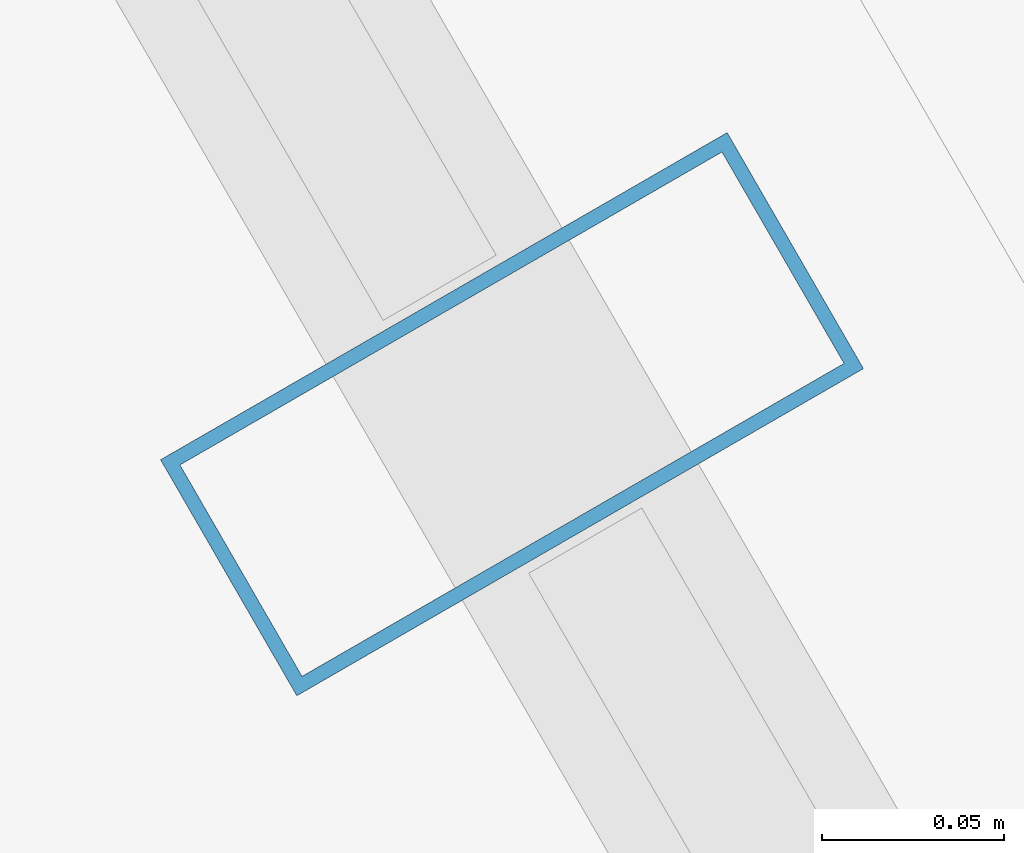
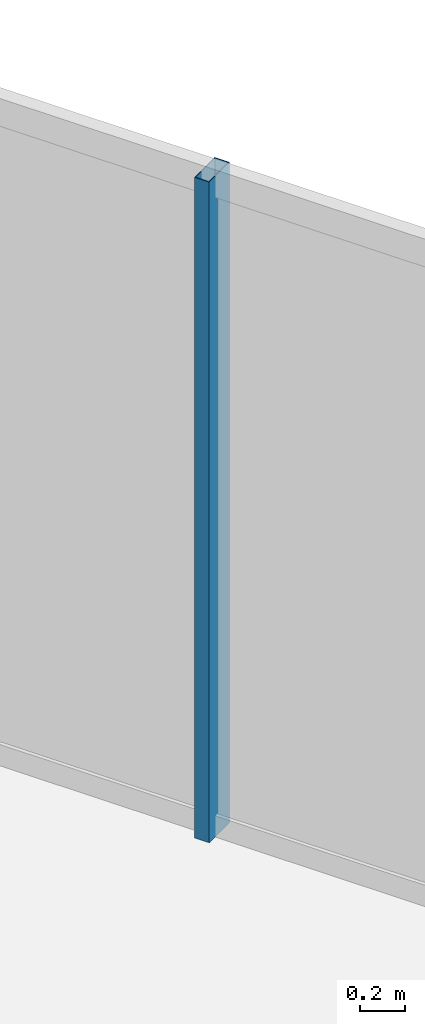
# One storey, part 20 of 34: 1 member, 1 element without a shape of its own.
"""IFC4 building model written with IfcOpenShell, lengths in metres."""

from ifc_helpers import new_model, si_unit, direction, frame, origin, origin_2d, place, context, subcontext, project, spatial, hollow_rectangle, extrude, material, layer, layer_set, material_profile, profile_set, type_object, element, aggregate, save


model = new_model("IFC4")

# Units and contexts
model_context = context("Model", 3, precision=1e-05, world=origin(), true_north=direction((0.0, 1.0)))
body_context = subcontext(model_context, "Body", "Model", "MODEL_VIEW")
ifc_project = project(units=[si_unit("LENGTHUNIT", "METRE"), si_unit("AREAUNIT", "SQUARE_METRE"), si_unit("VOLUMEUNIT", "CUBIC_METRE"), si_unit("PLANEANGLEUNIT", "RADIAN"), si_unit("MASSUNIT", "GRAM", prefix="KILO")], contexts=[model_context])

# Site, building, storey
site_placement = place(None, origin())
site = spatial("IfcSite", under=ifc_project, at=site_placement, CompositionType="ELEMENT")
building_placement = place(site_placement, origin())
building = spatial("IfcBuilding", under=site, at=building_placement, Name="Ndaravel Arena Tower", CompositionType="ELEMENT")
storey_placement = place(building_placement, frame((0.0, 0.0, 263.60009765625)))
storey = spatial("IfcBuildingStorey", under=building, at=storey_placement, Name="L64", CompositionType="ELEMENT", Elevation=263.60009765625)

# Curtain wall, member
ifc_material_1 = material(Name="Aluminium", Category="aluminium")
ifc_layer = layer(ifc_material_1, 0.179931640625)
ifc_layer_set = layer_set([ifc_layer], Name="Aluminium")
curtain_wall_type = type_object("IfcCurtainWallType", Name="CW-SYS-03", PredefinedType="NOTDEFINED", material=ifc_layer_set)
curtain_wall_placement = place(storey_placement, origin())
curtain_wall = element("IfcCurtainWall", 1, at=curtain_wall_placement, inside=storey, type_object=curtain_wall_type, Name="L64 Faceted Crystal Curtain Wall CW-L64-E03", PredefinedType="NOTDEFINED")
ifc_material_2 = material(Name="Aluminium", Category="aluminium")
ifc_material_profile = material_profile(ifc_material_2, hollow_rectangle(XDim=0.074951171875, YDim=0.179931640625, WallThickness=0.00390625, at=origin_2d()), Name="CW MULLION 75x180x4")
ifc_profile_set = profile_set([ifc_material_profile], Name="Aluminium")
member_type = type_object("IfcMemberType", Name="MEM-CW-MUL180", PredefinedType="MULLION", material=ifc_profile_set)
member_placement = place(storey_placement, frame((49.152587890625, 36.698486328125, 0.0), z_axis=(0.0, 0.0, 1.0), x_axis=(-0.5, 0.866025403784, 0.0)))
member = element("IfcMember", 2, at=member_placement, type_object=member_type, Name="CW-L64-E03 Mullion 07", PredefinedType="MULLION", context=body_context, shape_type="SweptSolid", body=[
    extrude(hollow_rectangle(XDim=0.074951171875, YDim=0.179931640625, WallThickness=0.00390625, at=origin_2d()), origin(), (0.0, 0.0, 1.0), 3.579833984375),
])
aggregate(curtain_wall, [member])

save(model, "model.ifc")
